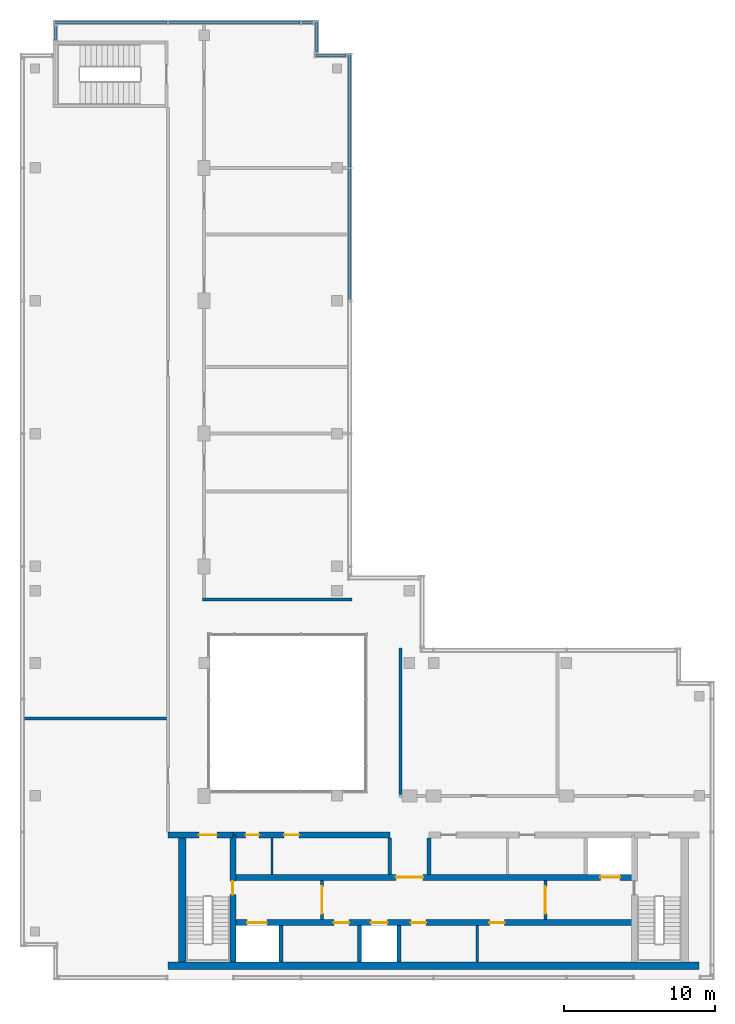
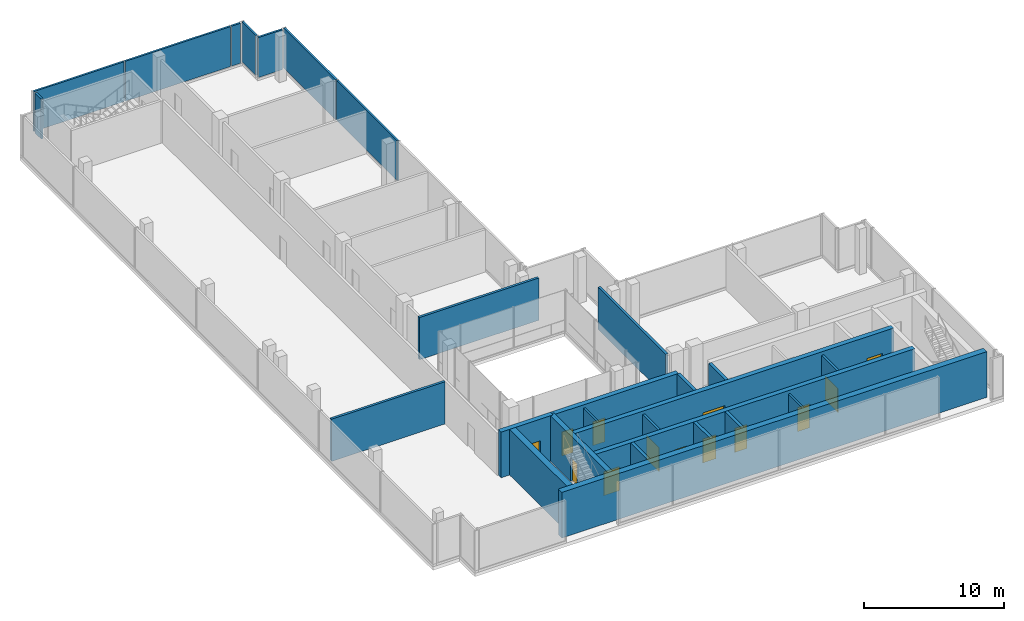
# One storey, part 8 of 11: 19 walls, 13 doors, 8 plates, 13 openings, 5 elements without a shape of their own.
"""IFC4 building model written with IfcOpenShell, lengths in metres."""

from ifc_helpers import new_model, si_unit, direction, frame, frame_2d, origin, origin_2d, place, context, subcontext, project, spatial, rectangle, extrude, source, transform, mapped, material, layer, layer_set, type_object, element, fill, aggregate, save


model = new_model("IFC4")

# Units and contexts
model_context = context("Model", 3, precision=1e-05, world=origin(), true_north=direction((0.0, 1.0)))
body_context = subcontext(model_context, "Body", "Model", "MODEL_VIEW")
ifc_project = project(units=[si_unit("LENGTHUNIT", "METRE"), si_unit("AREAUNIT", "SQUARE_METRE"), si_unit("VOLUMEUNIT", "CUBIC_METRE"), si_unit("PLANEANGLEUNIT", "RADIAN"), si_unit("MASSUNIT", "GRAM", prefix="KILO")], contexts=[model_context])

# Site, building, storey
site_placement = place(None, origin())
site = spatial("IfcSite", under=ifc_project, at=site_placement, CompositionType="ELEMENT")
building_placement = place(site_placement, origin())
building = spatial("IfcBuilding", under=site, at=building_placement, Name="Kemantara Hotel Tower", CompositionType="ELEMENT")
storey_placement = place(building_placement, frame((0.0, 0.0, 326.199951171875)))
storey = spatial("IfcBuildingStorey", under=building, at=storey_placement, Name="L82", CompositionType="ELEMENT", Elevation=326.199951171875)

# Curtain wall, plates
ifc_material_1 = material(Name="Aluminium 6063-T6 bronze anodised", Category="aluminium")
curtain_wall_type = type_object("IfcCurtainWallType", Name="CROWN LOUVRE SCREEN WALL", PredefinedType="USERDEFINED", material=ifc_material_1)
curtain_wall_1_placement = place(storey_placement, origin())
curtain_wall_1 = element("IfcCurtainWall", 1, at=curtain_wall_1_placement, inside=storey, type_object=curtain_wall_type, Name="CW7 L82 CRN-R02-1", ObjectType="CROWN LOUVRE SCREEN WALL", PredefinedType="USERDEFINED")
ifc_material_2 = material(Name="Bronze anodised aluminium louvre blades 3 mm", Category="aluminium")
ifc_layer_1 = layer(ifc_material_2, 0.159912109375)
ifc_layer_set_1 = layer_set([ifc_layer_1], Name="Bronze anodised aluminium louvre blades 3 mm")
plate_type = type_object("IfcPlateType", Name="CROWN LOUVRE SCREEN WALL PANEL", PredefinedType="CURTAIN_PANEL", material=ifc_layer_set_1)
shared_shape_1 = source(origin(), body_context, "Body", "SweptSolid", [
    extrude(rectangle(XDim=0.75, YDim=0.159912109375, at=origin_2d()), origin(), (0.0, 0.0, 1.0), 3.5),
])
plate_1_placement = place(storey_placement, frame((19.02490234375, 63.449951171875, 0.199951171875), z_axis=(0.0, 0.0, 1.0), x_axis=(-1.0, 0.0, 0.0)))
plate_1 = element("IfcPlate", 2, at=plate_1_placement, type_object=plate_type, Name="CW7 louvre panel CRN-R02-1.1", PredefinedType="CURTAIN_PANEL", context=body_context, shape_type="MappedRepresentation", body=[
    mapped(shared_shape_1, transform((0.0, 0.0, 0.0))),
])
shared_shape_2 = source(origin(), body_context, "Body", "SweptSolid", [
    extrude(rectangle(XDim=8.699951171875, YDim=0.159912109375, at=origin_2d()), origin(), (0.0, 0.0, 1.0), 3.5),
])
plate_2_placement = place(storey_placement, frame((14.199951171875, 63.449951171875, 0.199951171875), z_axis=(0.0, 0.0, 1.0), x_axis=(-1.0, 0.0, 0.0)))
plate_2 = element("IfcPlate", 3, at=plate_2_placement, type_object=plate_type, Name="CW7 louvre panel CRN-R02-1.2", PredefinedType="CURTAIN_PANEL", context=body_context, shape_type="MappedRepresentation", body=[
    mapped(shared_shape_2, transform((0.0, 0.0, 0.0))),
])

# Curtain wall, plate
curtain_wall_2_placement = place(storey_placement, origin())
curtain_wall_2 = element("IfcCurtainWall", 4, at=curtain_wall_2_placement, inside=storey, type_object=curtain_wall_type, Name="CW7 L82 CRN-R15-1", ObjectType="CROWN LOUVRE SCREEN WALL", PredefinedType="USERDEFINED")
plate_3_placement = place(storey_placement, frame((21.85009765625, 49.39990234375, 0.199951171875), z_axis=(0.0, 0.0, 1.0), x_axis=(0.0, 1.0, 0.0)))
plate_3 = element("IfcPlate", 5, at=plate_3_placement, type_object=plate_type, Name="CW7 louvre panel CRN-R15-1.4", PredefinedType="CURTAIN_PANEL", context=body_context, shape_type="MappedRepresentation", body=[
    mapped(shared_shape_2, transform((0.0, 0.0, 0.0))),
])

# Plate
shared_shape_3 = source(origin(), body_context, "Body", "SweptSolid", [
    extrude(rectangle(XDim=7.449951171875, YDim=0.159912109375, at=origin_2d()), origin(), (0.0, 0.0, 1.0), 3.5),
])
plate_4_placement = place(storey_placement, frame((6.02490234375, 63.449951171875, 0.199951171875), z_axis=(0.0, 0.0, 1.0), x_axis=(-1.0, 0.0, 0.0)))
plate_4 = element("IfcPlate", 6, at=plate_4_placement, type_object=plate_type, Name="CW7 louvre panel CRN-R02-1.3", PredefinedType="CURTAIN_PANEL", context=body_context, shape_type="MappedRepresentation", body=[
    mapped(shared_shape_3, transform((0.0, 0.0, 0.0))),
])

aggregate(curtain_wall_1, [plate_1, plate_2, plate_4])

plate_5_placement = place(storey_placement, frame((21.85009765625, 57.574951171875, 0.199951171875), z_axis=(0.0, 0.0, 1.0), x_axis=(0.0, 1.0, 0.0)))
plate_5 = element("IfcPlate", 7, at=plate_5_placement, type_object=plate_type, Name="CW7 louvre panel CRN-R15-1.5", PredefinedType="CURTAIN_PANEL", context=body_context, shape_type="MappedRepresentation", body=[
    mapped(shared_shape_3, transform((0.0, 0.0, 0.0))),
])

aggregate(curtain_wall_2, [plate_3, plate_5])

# Curtain wall, plate
curtain_wall_3_placement = place(storey_placement, origin())
curtain_wall_3 = element("IfcCurtainWall", 8, at=curtain_wall_3_placement, inside=storey, type_object=curtain_wall_type, Name="CW7 L82 CRN-R00-1", ObjectType="CROWN LOUVRE SCREEN WALL", PredefinedType="USERDEFINED")
shared_shape_4 = source(origin(), body_context, "Body", "SweptSolid", [
    extrude(rectangle(XDim=2.0, YDim=0.159912109375, at=origin_2d()), origin(), (0.0, 0.0, 1.0), 3.5),
])
plate_6_placement = place(storey_placement, frame((20.60009765625, 61.25, 0.199951171875), z_axis=(0.0, 0.0, 1.0), x_axis=(-1.0, 0.0, 0.0)))
plate_6 = element("IfcPlate", 9, at=plate_6_placement, type_object=plate_type, Name="CW7 louvre panel CRN-R00-1.1", PredefinedType="CURTAIN_PANEL", context=body_context, shape_type="MappedRepresentation", body=[
    mapped(shared_shape_4, transform((0.0, 0.0, 0.0))),
])
aggregate(curtain_wall_3, [plate_6])

curtain_wall_4_placement = place(storey_placement, origin())
curtain_wall_4 = element("IfcCurtainWall", 10, at=curtain_wall_4_placement, inside=storey, type_object=curtain_wall_type, Name="CW7 L82 CRN-R01-1", ObjectType="CROWN LOUVRE SCREEN WALL", PredefinedType="USERDEFINED")
plate_7_placement = place(storey_placement, frame((19.64990234375, 62.5, 0.199951171875), z_axis=(0.0, 0.0, 1.0), x_axis=(0.0, 1.0, 0.0)))
plate_7 = element("IfcPlate", 11, at=plate_7_placement, type_object=plate_type, Name="CW7 louvre panel CRN-R01-1.1", PredefinedType="CURTAIN_PANEL", context=body_context, shape_type="MappedRepresentation", body=[
    mapped(shared_shape_4, transform((0.0, 0.0, 0.0))),
])
aggregate(curtain_wall_4, [plate_7])

curtain_wall_5_placement = place(storey_placement, origin())
curtain_wall_5 = element("IfcCurtainWall", 12, at=curtain_wall_5_placement, inside=storey, type_object=curtain_wall_type, Name="CW7 L82 CRN-R03-1", ObjectType="CROWN LOUVRE SCREEN WALL", PredefinedType="USERDEFINED")
shared_shape_5 = source(origin(), body_context, "Body", "SweptSolid", [
    extrude(rectangle(XDim=0.89990234375, YDim=0.159912109375, at=origin_2d()), origin(), (0.0, 0.0, 1.0), 3.5),
])
plate_8_placement = place(storey_placement, frame((2.35009765625, 62.75, 0.199951171875), z_axis=(0.0, 0.0, 1.0), x_axis=(0.0, -1.0, 0.0)))
plate_8 = element("IfcPlate", 13, at=plate_8_placement, type_object=plate_type, Name="CW7 louvre panel CRN-R03-1.1", PredefinedType="CURTAIN_PANEL", context=body_context, shape_type="MappedRepresentation", body=[
    mapped(shared_shape_5, transform((0.0, 0.0, 0.0))),
])
aggregate(curtain_wall_5, [plate_8])

# Walls
ifc_material_3 = material(Name="Concrete fc 50 MPa", Category="concrete")
ifc_layer_2 = layer(ifc_material_3, 0.25)
ifc_layer_set_2 = layer_set([ifc_layer_2], Name="Concrete fc 50 MPa")
wall_type_1 = type_object("IfcWallType", Name="CORE WALL 250 FC50", PredefinedType="SHEAR", material=ifc_layer_set_2)
for number, where, z_axis, x_axis, name in (
    (14, (17.300048828125, 1.199951171875, 0.0), (0.0, 0.0, 1.0), (0.0, 1.0, 0.0), "CORE WALL CW-DS17.3"),
    (15, (22.5, 1.199951171875, 0.0), (0.0, 0.0, 1.0), (0.0, 1.0, 0.0), "CORE WALL CW-DS22.5"),
    (16, (25.10009765625, 1.199951171875, 0.0), (0.0, 0.0, 1.0), (0.0, 1.0, 0.0), "CORE WALL CW-DS25.1"),
):
    element("IfcWall", number, at=place(storey_placement, frame(where, z_axis=z_axis, x_axis=x_axis)), inside=storey, type_object=wall_type_1, Name=name, PredefinedType="SHEAR", context=body_context, shape_type="SweptSolid", body=[
        extrude(rectangle(XDim=2.400146484375, YDim=0.25, at=frame_2d((1.2001953125, 0.0))), origin(), (0.0, 0.0, 1.0), 4.0),
    ])
for number, where, z_axis, x_axis, name in (
    (17, (24.5, 7.0, 0.0), (0.0, 0.0, 1.0), (0.0, 1.0, 0.0), "CORE WALL CW-DN24.5"),
    (18, (27.10009765625, 7.0, 0.0), (0.0, 0.0, 1.0), (0.0, 1.0, 0.0), "CORE WALL CW-DN27.1"),
):
    element("IfcWall", number, at=place(storey_placement, frame(where, z_axis=z_axis, x_axis=x_axis)), inside=storey, type_object=wall_type_1, Name=name, PredefinedType="SHEAR", context=body_context, shape_type="SweptSolid", body=[
        extrude(rectangle(XDim=2.39990234375, YDim=0.25, at=frame_2d((1.199951171875, 0.0))), origin(), (0.0, 0.0, 1.0), 4.0),
    ])

# Wall, opening, door
ifc_layer_3 = layer(ifc_material_3, 0.39990234375)
ifc_layer_set_3 = layer_set([ifc_layer_3], Name="Concrete fc 50 MPa")
wall_type_2 = type_object("IfcWallType", Name="CORE WALL 400 FC50", PredefinedType="SHEAR", material=ifc_layer_set_3)
wall_1_placement = place(storey_placement, frame((9.800048828125, 9.60009765625, 0.0), z_axis=(0.0, 0.0, 1.0), x_axis=(1.0, 0.0, 0.0)))
wall_1 = element("IfcWall", 19, at=wall_1_placement, inside=storey, type_object=wall_type_2, Name="CORE WALL CW-N1", PredefinedType="SHEAR", context=body_context, shape_type="SweptSolid", body=[
    extrude(rectangle(XDim=4.300048828125, YDim=0.39990234375, at=frame_2d((2.14990234375, 0.0))), origin(), (0.0, 0.0, 1.0), 4.0),
])
opening_1_placement = place(wall_1_placement, frame((2.050048828125, 0.0, 0.0)))
opening_1 = element("IfcOpeningElement", 20, at=opening_1_placement, cuts=wall_1, Name="Opening C46-ST1-C", PredefinedType="OPENING", context=body_context, shape_type="SweptSolid", body=[
    extrude(rectangle(XDim=1.199951171875, YDim=2.10009765625, at=frame_2d((0.60009765625, 1.050048828125))), frame((0.0, 0.2099609375, 0.0), z_axis=(0.0, -1.0, 0.0), x_axis=(1.0, 0.0, 0.0)), (0.0, 0.0, 1.0), 0.419921875),
])
ifc_material_4 = material(Name="Steel fire door", Category="steel")
door_type_1 = type_object("IfcDoorType", Name="Fire door FD90 1200 x 2100", OperationType="NOTDEFINED", PredefinedType="DOOR", material=ifc_material_4)
door_1_placement = place(opening_1_placement, frame((1.199951171875, 0.0, 0.0), z_axis=(0.0, 0.0, 1.0), x_axis=(-1.0, 0.0, 0.0)))
door_1 = element("IfcDoor", 21, at=door_1_placement, inside=storey, type_object=door_type_1, Name="Stair ST1 door to corridor", OperationType="SINGLE_SWING_LEFT", OverallHeight=2.10009765625, OverallWidth=1.199951171875, PredefinedType="DOOR", context=body_context, shape_type="SweptSolid", body=[
    extrude(rectangle(XDim=1.199951171875, YDim=2.10009765625, at=frame_2d((0.60009765625, 1.050048828125))), frame((0.0, 0.02490234375, 0.0), z_axis=(0.0, -1.0, 0.0), x_axis=(1.0, 0.0, 0.0)), (0.0, 0.0, 1.0), 0.050048828125),
])
fill(opening_1, door_1)

# Wall, openings, doors
wall_2_placement = place(storey_placement, frame((14.10009765625, 9.60009765625, 0.0), z_axis=(0.0, 0.0, 1.0), x_axis=(1.0, 0.0, 0.0)))
wall_2 = element("IfcWall", 22, at=wall_2_placement, inside=storey, type_object=wall_type_2, Name="CORE WALL CW-NN1", PredefinedType="SHEAR", context=body_context, shape_type="SweptSolid", body=[
    extrude(rectangle(XDim=10.39990234375, YDim=0.39990234375, at=frame_2d((5.199951171875, 0.0))), origin(), (0.0, 0.0, 1.0), 4.0),
])
opening_2_placement = place(wall_2_placement, frame((0.85009765625, 0.0, 0.0)))
opening_2 = element("IfcOpeningElement", 23, at=opening_2_placement, cuts=wall_2, Name="Opening C46-R-NW1", PredefinedType="OPENING", context=body_context, shape_type="SweptSolid", body=[
    extrude(rectangle(XDim=0.89990234375, YDim=2.10009765625, at=frame_2d((0.449951171875, 1.050048828125))), frame((0.0, 0.2099609375, 0.0), z_axis=(0.0, -1.0, 0.0), x_axis=(1.0, 0.0, 0.0)), (0.0, 0.0, 1.0), 0.419921875),
])
opening_3_placement = place(wall_2_placement, frame((3.39990234375, 0.0, 0.0)))
opening_3 = element("IfcOpeningElement", 24, at=opening_3_placement, cuts=wall_2, Name="Opening C46-R-NW2", PredefinedType="OPENING", context=body_context, shape_type="SweptSolid", body=[
    extrude(rectangle(XDim=1.0, YDim=2.10009765625, at=frame_2d((0.5, 1.050048828125))), frame((0.0, 0.2099609375, 0.0), z_axis=(0.0, -1.0, 0.0), x_axis=(1.0, 0.0, 0.0)), (0.0, 0.0, 1.0), 0.419921875),
])
door_type_2 = type_object("IfcDoorType", Name="Fire door FD60 1000 x 2100", OperationType="NOTDEFINED", PredefinedType="DOOR", material=ifc_material_4)
door_2_placement = place(opening_3_placement, frame((1.0, 0.0, 0.0), z_axis=(0.0, 0.0, 1.0), x_axis=(-1.0, 0.0, 0.0)))
door_2 = element("IfcDoor", 25, at=door_2_placement, inside=storey, type_object=door_type_2, Name="Switch Room door", OperationType="SINGLE_SWING_RIGHT", OverallHeight=2.10009765625, OverallWidth=1.0, PredefinedType="DOOR", context=body_context, shape_type="SweptSolid", body=[
    extrude(rectangle(XDim=1.0, YDim=2.10009765625, at=frame_2d((0.5, 1.050048828125))), frame((0.0, 0.02490234375, 0.0), z_axis=(0.0, -1.0, 0.0), x_axis=(1.0, 0.0, 0.0)), (0.0, 0.0, 1.0), 0.050048828125),
])
fill(opening_3, door_2)
door_type_3 = type_object("IfcDoorType", Name="Fire door FD60 900 x 2100", OperationType="NOTDEFINED", PredefinedType="DOOR", material=ifc_material_4)
door_3_placement = place(opening_2_placement, frame((0.89990234375, 0.0, 0.0), z_axis=(0.0, 0.0, 1.0), x_axis=(-1.0, 0.0, 0.0)))
door_3 = element("IfcDoor", 26, at=door_3_placement, inside=storey, type_object=door_type_3, Name="Smoke Control Plant Room door", OperationType="SINGLE_SWING_RIGHT", OverallHeight=2.10009765625, OverallWidth=0.89990234375, PredefinedType="DOOR", context=body_context, shape_type="SweptSolid", body=[
    extrude(rectangle(XDim=0.89990234375, YDim=2.10009765625, at=frame_2d((0.449951171875, 1.050048828125))), frame((0.0, 0.02490234375, 0.0), z_axis=(0.0, -1.0, 0.0), x_axis=(1.0, 0.0, 0.0)), (0.0, 0.0, 1.0), 0.050048828125),
])
fill(opening_2, door_3)

wall_3_placement = place(storey_placement, frame((14.10009765625, 3.800048828125, 0.0), z_axis=(0.0, 0.0, 1.0), x_axis=(1.0, 0.0, 0.0)))
wall_3 = element("IfcWall", 27, at=wall_3_placement, inside=storey, type_object=wall_type_2, Name="CORE WALL CW-L1", PredefinedType="SHEAR", context=body_context, shape_type="SweptSolid", body=[
    extrude(rectangle(XDim=26.599853515625, YDim=0.39990234375, at=frame_2d((13.2998046875, 0.0))), origin(), (0.0, 0.0, 1.0), 4.0),
])
opening_4_placement = place(wall_3_placement, frame((0.949951171875, 0.0, 0.0)))
opening_4 = element("IfcOpeningElement", 28, at=opening_4_placement, cuts=wall_3, Name="Opening C46-LD-FF1", PredefinedType="OPENING", context=body_context, shape_type="SweptSolid", body=[
    extrude(rectangle(XDim=1.300048828125, YDim=2.10009765625, at=frame_2d((0.64990234375, 1.050048828125))), frame((0.0, 0.2099609375, 0.0), z_axis=(0.0, -1.0, 0.0), x_axis=(1.0, 0.0, 0.0)), (0.0, 0.0, 1.0), 0.419921875),
])
opening_5_placement = place(wall_3_placement, frame((9.14990234375, 0.0, 0.0)))
opening_5 = element("IfcOpeningElement", 29, at=opening_5_placement, cuts=wall_3, Name="Opening C46-LD-SV3", PredefinedType="OPENING", context=body_context, shape_type="SweptSolid", body=[
    extrude(rectangle(XDim=1.10009765625, YDim=2.10009765625, at=frame_2d((0.550048828125, 1.050048828125))), frame((0.0, 0.2099609375, 0.0), z_axis=(0.0, -1.0, 0.0), x_axis=(1.0, 0.0, 0.0)), (0.0, 0.0, 1.0), 0.419921875),
])
opening_6_placement = place(wall_3_placement, frame((11.800048828125, 0.0, 0.0)))
opening_6 = element("IfcOpeningElement", 30, at=opening_6_placement, cuts=wall_3, Name="Opening C46-R-SM1", PredefinedType="OPENING", context=body_context, shape_type="SweptSolid", body=[
    extrude(rectangle(XDim=1.0, YDim=2.10009765625, at=frame_2d((0.5, 1.050048828125))), frame((0.0, 0.2099609375, 0.0), z_axis=(0.0, -1.0, 0.0), x_axis=(1.0, 0.0, 0.0)), (0.0, 0.0, 1.0), 0.419921875),
])
opening_7_placement = place(wall_3_placement, frame((17.0, 0.0, 0.0)))
opening_7 = element("IfcOpeningElement", 31, at=opening_7_placement, cuts=wall_3, Name="Opening C46-R-SM2", PredefinedType="OPENING", context=body_context, shape_type="SweptSolid", body=[
    extrude(rectangle(XDim=1.0, YDim=2.10009765625, at=frame_2d((0.5, 1.050048828125))), frame((0.0, 0.2099609375, 0.0), z_axis=(0.0, -1.0, 0.0), x_axis=(1.0, 0.0, 0.0)), (0.0, 0.0, 1.0), 0.419921875),
])
opening_8_placement = place(wall_3_placement, frame((6.699951171875, 0.0, 0.0)))
opening_8 = element("IfcOpeningElement", 32, at=opening_8_placement, cuts=wall_3, Name="Opening C46-R-SW1", PredefinedType="OPENING", context=body_context, shape_type="SweptSolid", body=[
    extrude(rectangle(XDim=1.0, YDim=2.10009765625, at=frame_2d((0.5, 1.050048828125))), frame((0.0, 0.2099609375, 0.0), z_axis=(0.0, -1.0, 0.0), x_axis=(1.0, 0.0, 0.0)), (0.0, 0.0, 1.0), 0.419921875),
])
door_4_placement = place(opening_6_placement, frame((1.0, 0.0, 0.0), z_axis=(0.0, 0.0, 1.0), x_axis=(-1.0, 0.0, 0.0)))
door_4 = element("IfcDoor", 33, at=door_4_placement, inside=storey, type_object=door_type_2, Name="Tank Room door", OperationType="SINGLE_SWING_RIGHT", OverallHeight=2.10009765625, OverallWidth=1.0, PredefinedType="DOOR", context=body_context, shape_type="SweptSolid", body=[
    extrude(rectangle(XDim=1.0, YDim=2.10009765625, at=frame_2d((0.5, 1.050048828125))), frame((0.0, 0.02490234375, 0.0), z_axis=(0.0, -1.0, 0.0), x_axis=(1.0, 0.0, 0.0)), (0.0, 0.0, 1.0), 0.050048828125),
])
fill(opening_6, door_4)
door_5_placement = place(opening_7_placement, frame((1.0, 0.0, 0.0), z_axis=(0.0, 0.0, 1.0), x_axis=(-1.0, 0.0, 0.0)))
door_5 = element("IfcDoor", 34, at=door_5_placement, inside=storey, type_object=door_type_2, Name="Pump And Tank Room door", OperationType="SINGLE_SWING_LEFT", OverallHeight=2.10009765625, OverallWidth=1.0, PredefinedType="DOOR", context=body_context, shape_type="SweptSolid", body=[
    extrude(rectangle(XDim=1.0, YDim=2.10009765625, at=frame_2d((0.5, 1.050048828125))), frame((0.0, 0.02490234375, 0.0), z_axis=(0.0, -1.0, 0.0), x_axis=(1.0, 0.0, 0.0)), (0.0, 0.0, 1.0), 0.050048828125),
])
fill(opening_7, door_5)
door_6_placement = place(opening_8_placement, frame((1.0, 0.0, 0.0), z_axis=(0.0, 0.0, 1.0), x_axis=(-1.0, 0.0, 0.0)))
door_6 = element("IfcDoor", 35, at=door_6_placement, inside=storey, type_object=door_type_2, Name="Chilled Water Plant Room door", OperationType="SINGLE_SWING_RIGHT", OverallHeight=2.10009765625, OverallWidth=1.0, PredefinedType="DOOR", context=body_context, shape_type="SweptSolid", body=[
    extrude(rectangle(XDim=1.0, YDim=2.10009765625, at=frame_2d((0.5, 1.050048828125))), frame((0.0, 0.02490234375, 0.0), z_axis=(0.0, -1.0, 0.0), x_axis=(1.0, 0.0, 0.0)), (0.0, 0.0, 1.0), 0.050048828125),
])
fill(opening_8, door_6)
ifc_material_5 = material(Name="Stainless steel lift door", Category="steel")
door_type_4 = type_object("IfcDoorType", Name="Lift landing door 1100 x 2100 FD60", OperationType="DOUBLE_DOOR_SLIDING", PredefinedType="DOOR", material=ifc_material_5)
door_7_placement = place(opening_5_placement, origin())
door_7 = element("IfcDoor", 36, at=door_7_placement, inside=storey, type_object=door_type_4, Name="Lift SV3 landing door", OperationType="DOUBLE_DOOR_SLIDING", OverallHeight=2.10009765625, OverallWidth=1.10009765625, PredefinedType="DOOR", context=body_context, shape_type="SweptSolid", body=[
    extrude(rectangle(XDim=1.10009765625, YDim=2.10009765625, at=frame_2d((0.550048828125, 1.050048828125))), frame((0.0, 0.02490234375, 0.0), z_axis=(0.0, -1.0, 0.0), x_axis=(1.0, 0.0, 0.0)), (0.0, 0.0, 1.0), 0.050048828125),
])
fill(opening_5, door_7)
door_type_5 = type_object("IfcDoorType", Name="Lift landing door 1300 x 2100 FD90", OperationType="DOUBLE_DOOR_SLIDING", PredefinedType="DOOR", material=ifc_material_5)
door_8_placement = place(opening_4_placement, origin())
door_8 = element("IfcDoor", 37, at=door_8_placement, inside=storey, type_object=door_type_5, Name="Lift FF1 landing door", OperationType="DOUBLE_DOOR_SLIDING", OverallHeight=2.10009765625, OverallWidth=1.300048828125, PredefinedType="DOOR", context=body_context, shape_type="SweptSolid", body=[
    extrude(rectangle(XDim=1.300048828125, YDim=2.10009765625, at=frame_2d((0.64990234375, 1.050048828125))), frame((0.0, 0.02490234375, 0.0), z_axis=(0.0, -1.0, 0.0), x_axis=(1.0, 0.0, 0.0)), (0.0, 0.0, 1.0), 0.050048828125),
])
fill(opening_4, door_8)

wall_4_placement = place(storey_placement, frame((14.10009765625, 6.800048828125, 0.0), z_axis=(0.0, 0.0, 1.0), x_axis=(1.0, 0.0, 0.0)))
wall_4 = element("IfcWall", 38, at=wall_4_placement, inside=storey, type_object=wall_type_2, Name="CORE WALL CW-L2", PredefinedType="SHEAR", context=body_context, shape_type="SweptSolid", body=[
    extrude(rectangle(XDim=26.599853515625, YDim=0.39990234375, at=frame_2d((13.2998046875, 0.0))), origin(), (0.0, 0.0, 1.0), 4.0),
])
opening_9_placement = place(wall_4_placement, frame((10.800048828125, 0.0, 0.0)))
opening_9 = element("IfcOpeningElement", 39, at=opening_9_placement, cuts=wall_4, Name="Opening C46-VL", PredefinedType="OPENING", context=body_context, shape_type="SweptSolid", body=[
    extrude(rectangle(XDim=1.800048828125, YDim=2.10009765625, at=frame_2d((0.89990234375, 1.050048828125))), frame((0.0, 0.2099609375, 0.0), z_axis=(0.0, -1.0, 0.0), x_axis=(1.0, 0.0, 0.0)), (0.0, 0.0, 1.0), 0.419921875),
])
opening_10_placement = place(wall_4_placement, frame((24.35009765625, 0.0, 0.0)))
opening_10 = element("IfcOpeningElement", 40, at=opening_10_placement, cuts=wall_4, Name="Opening C46-LD-FF2", PredefinedType="OPENING", context=body_context, shape_type="SweptSolid", body=[
    extrude(rectangle(XDim=1.300048828125, YDim=2.10009765625, at=frame_2d((0.64990234375, 1.050048828125))), frame((0.0, 0.2099609375, 0.0), z_axis=(0.0, -1.0, 0.0), x_axis=(1.0, 0.0, 0.0)), (0.0, 0.0, 1.0), 0.419921875),
])
door_type_6 = type_object("IfcDoorType", Name="Fire door pair FD60 1800 x 2100", OperationType="DOUBLE_DOOR_SINGLE_SWING", PredefinedType="DOOR", material=ifc_material_4)
door_9_placement = place(opening_9_placement, frame((1.800048828125, 0.0, 0.0), z_axis=(0.0, 0.0, 1.0), x_axis=(-1.0, 0.0, 0.0)))
door_9 = element("IfcDoor", 41, at=door_9_placement, inside=storey, type_object=door_type_6, Name="Lift lobby entry door", OperationType="DOUBLE_DOOR_SINGLE_SWING", OverallHeight=2.10009765625, OverallWidth=1.800048828125, PredefinedType="DOOR", context=body_context, shape_type="SweptSolid", body=[
    extrude(rectangle(XDim=1.800048828125, YDim=2.10009765625, at=frame_2d((0.89990234375, 1.050048828125))), frame((0.0, 0.02490234375, 0.0), z_axis=(0.0, -1.0, 0.0), x_axis=(1.0, 0.0, 0.0)), (0.0, 0.0, 1.0), 0.050048828125),
])
fill(opening_9, door_9)
door_10_placement = place(opening_10_placement, origin())
door_10 = element("IfcDoor", 42, at=door_10_placement, inside=storey, type_object=door_type_5, Name="Lift FF2 landing door", OperationType="DOUBLE_DOOR_SLIDING", OverallHeight=2.10009765625, OverallWidth=1.300048828125, PredefinedType="DOOR", context=body_context, shape_type="SweptSolid", body=[
    extrude(rectangle(XDim=1.300048828125, YDim=2.10009765625, at=frame_2d((0.64990234375, 1.050048828125))), frame((0.0, 0.02490234375, 0.0), z_axis=(0.0, -1.0, 0.0), x_axis=(1.0, 0.0, 0.0)), (0.0, 0.0, 1.0), 0.050048828125),
])
fill(opening_10, door_10)

# Wall, opening, door
wall_5_placement = place(storey_placement, frame((14.10009765625, 1.199951171875, 0.0), z_axis=(0.0, 0.0, 1.0), x_axis=(0.0, 1.0, 0.0)))
wall_5 = element("IfcWall", 43, at=wall_5_placement, inside=storey, type_object=wall_type_2, Name="CORE WALL CW-ST1E", PredefinedType="SHEAR", context=body_context, shape_type="SweptSolid", body=[
    extrude(rectangle(XDim=8.400146484375, YDim=0.39990234375, at=frame_2d((4.2001953125, 0.0))), origin(), (0.0, 0.0, 1.0), 4.0),
])
opening_11_placement = place(wall_5_placement, frame((4.449951171875, 0.0, 0.0)))
opening_11 = element("IfcOpeningElement", 44, at=opening_11_placement, cuts=wall_5, Name="Opening C46-ST1-F", PredefinedType="OPENING", context=body_context, shape_type="SweptSolid", body=[
    extrude(rectangle(XDim=0.89990234375, YDim=2.10009765625, at=frame_2d((0.449951171875, 1.050048828125))), frame((0.0, 0.2099609375, 0.0), z_axis=(0.0, -1.0, 0.0), x_axis=(1.0, 0.0, 0.0)), (0.0, 0.0, 1.0), 0.419921875),
])
door_type_7 = type_object("IfcDoorType", Name="Fire door FD90 900 x 2100", OperationType="NOTDEFINED", PredefinedType="DOOR", material=ifc_material_4)
door_11_placement = place(opening_11_placement, origin())
door_11 = element("IfcDoor", 45, at=door_11_placement, inside=storey, type_object=door_type_7, Name="Stair ST1 door to firefighting lobby", OperationType="SINGLE_SWING_RIGHT", OverallHeight=2.10009765625, OverallWidth=0.89990234375, PredefinedType="DOOR", context=body_context, shape_type="SweptSolid", body=[
    extrude(rectangle(XDim=0.89990234375, YDim=2.10009765625, at=frame_2d((0.449951171875, 1.050048828125))), frame((0.0, 0.02490234375, 0.0), z_axis=(0.0, -1.0, 0.0), x_axis=(1.0, 0.0, 0.0)), (0.0, 0.0, 1.0), 0.050048828125),
])
fill(opening_11, door_11)

# Walls
ifc_layer_4 = layer(ifc_material_3, 0.5)
ifc_layer_set_4 = layer_set([ifc_layer_4], Name="Concrete fc 50 MPa")
wall_type_3 = type_object("IfcWallType", Name="CORE WALL 500 FC50", PredefinedType="SHEAR", material=ifc_layer_set_4)
wall_6_placement = place(storey_placement, frame((9.800048828125, 0.949951171875, 0.0), z_axis=(0.0, 0.0, 1.0), x_axis=(1.0, 0.0, 0.0)))
element("IfcWall", 46, at=wall_6_placement, inside=storey, type_object=wall_type_3, Name="CORE WALL CW-S", PredefinedType="SHEAR", context=body_context, shape_type="SweptSolid", body=[
    extrude(rectangle(XDim=35.199951171875, YDim=0.5, at=frame_2d((17.60009765625, 0.0))), origin(), (0.0, 0.0, 1.0), 4.0),
])
wall_7_placement = place(storey_placement, frame((10.75, 1.199951171875, 0.0), z_axis=(0.0, 0.0, 1.0), x_axis=(0.0, 1.0, 0.0)))
element("IfcWall", 47, at=wall_7_placement, inside=storey, type_object=wall_type_3, Name="CORE WALL CW-W", PredefinedType="SHEAR", context=body_context, shape_type="SweptSolid", body=[
    extrude(rectangle(XDim=8.60009765625, YDim=0.5, at=frame_2d((4.300048828125, 0.0))), origin(), (0.0, 0.0, 1.0), 4.0),
])
ifc_material_6 = material(Name="Clay brick masonry", Category="masonry")
ifc_layer_5 = layer(ifc_material_6, 0.199951171875)
ifc_layer_set_5 = layer_set([ifc_layer_5], Name="Clay brick masonry")
wall_type_4 = type_object("IfcWallType", Name="FIRE-RATED CLAY BRICK WALL 200 EI 120", PredefinedType="PARTITIONING", material=ifc_layer_set_5)
wall_8_placement = place(storey_placement, frame((0.300048828125, 17.340087890625, 0.0), z_axis=(0.0, 0.0, 1.0), x_axis=(1.0, 0.0, 0.0)))
element("IfcWall", 48, at=wall_8_placement, inside=storey, type_object=wall_type_4, Name="FIRE WALL", PredefinedType="PARTITIONING", context=body_context, shape_type="SweptSolid", body=[
    extrude(rectangle(XDim=9.39990234375, YDim=0.199951171875, at=frame_2d((4.699951171875, 0.0))), origin(), (0.0, 0.0, 1.0), 3.699951171875),
])
ifc_material_7 = material(Name="Fire-rated gypsum board partition")
ifc_layer_6 = layer(ifc_material_7, 0.199951171875)
ifc_layer_set_6 = layer_set([ifc_layer_6], Name="Fire-rated gypsum board partition")
wall_type_5 = type_object("IfcWallType", Name="FIRE-RATED GYPSUM PARTITION 200 EI 60", PredefinedType="PARTITIONING", material=ifc_layer_set_6)
wall_9_placement = place(storey_placement, frame((12.10009765625, 25.199951171875, 0.0), z_axis=(0.0, 0.0, 1.0), x_axis=(1.0, 0.0, 0.0)))
element("IfcWall", 49, at=wall_9_placement, inside=storey, type_object=wall_type_5, Name="FIRE-RATED PARTITION", PredefinedType="PARTITIONING", context=body_context, shape_type="SweptSolid", body=[
    extrude(rectangle(XDim=9.89990234375, YDim=0.199951171875, at=frame_2d((4.949951171875, 0.0))), origin(), (0.0, 0.0, 1.0), 3.699951171875),
])
wall_10_placement = place(storey_placement, frame((25.199951171875, 12.300048828125, 0.0), z_axis=(0.0, 0.0, 1.0), x_axis=(0.0, 1.0, 0.0)))
element("IfcWall", 50, at=wall_10_placement, inside=storey, type_object=wall_type_5, Name="FIRE-RATED PARTITION", PredefinedType="PARTITIONING", context=body_context, shape_type="SweptSolid", body=[
    extrude(rectangle(XDim=9.699951171875, YDim=0.199951171875, at=frame_2d((4.85009765625, 0.0))), origin(), (0.0, 0.0, 1.0), 3.699951171875),
])
ifc_material_8 = material(Name="Gypsum board partition")
ifc_layer_7 = layer(ifc_material_8, 0.14990234375)
ifc_layer_set_7 = layer_set([ifc_layer_7], Name="Gypsum board partition")
wall_type_6 = type_object("IfcWallType", Name="Gypsum board partition 150 mm", PredefinedType="PARTITIONING", material=ifc_layer_set_7)
wall_11_placement = place(storey_placement, frame((16.699951171875, 7.0, 0.0), z_axis=(0.0, 0.0, 1.0), x_axis=(0.0, 1.0, 0.0)))
element("IfcWall", 51, at=wall_11_placement, inside=storey, type_object=wall_type_6, Name="Core room partition", PredefinedType="PARTITIONING", context=body_context, shape_type="SweptSolid", body=[
    extrude(rectangle(XDim=2.39990234375, YDim=0.14990234375, at=frame_2d((1.199951171875, 0.0))), origin(), (0.0, 0.0, 1.0), 3.699951171875),
])
wall_12_placement = place(storey_placement, frame((30.300048828125, 1.199951171875, 0.0), z_axis=(0.0, 0.0, 1.0), x_axis=(0.0, 1.0, 0.0)))
element("IfcWall", 52, at=wall_12_placement, inside=storey, type_object=wall_type_6, Name="Core room partition", PredefinedType="PARTITIONING", context=body_context, shape_type="SweptSolid", body=[
    extrude(rectangle(XDim=2.400146484375, YDim=0.14990234375, at=frame_2d((1.2001953125, 0.0))), origin(), (0.0, 0.0, 1.0), 3.699951171875),
])

# Wall, opening, door
ifc_material_9 = material(Name="Gypsum board shaft wall")
ifc_layer_8 = layer(ifc_material_9, 0.199951171875)
ifc_layer_set_8 = layer_set([ifc_layer_8], Name="Gypsum board shaft wall")
wall_type_7 = type_object("IfcWallType", Name="Gypsum board shaft wall 200 mm", PredefinedType="PARTITIONING", material=ifc_layer_set_8)
wall_13_placement = place(storey_placement, frame((20.0, 4.0, 0.0), z_axis=(0.0, 0.0, 1.0), x_axis=(0.0, 1.0, 0.0)))
wall_13 = element("IfcWall", 53, at=wall_13_placement, inside=storey, type_object=wall_type_7, Name="Firefighting lobby partition west", PredefinedType="PARTITIONING", context=body_context, shape_type="SweptSolid", body=[
    extrude(rectangle(XDim=2.60009765625, YDim=0.199951171875, at=frame_2d((1.300048828125, 0.0))), origin(), (0.0, 0.0, 1.0), 3.699951171875),
])
opening_12_placement = place(wall_13_placement, frame((0.39990234375, 0.0, 0.0)))
opening_12 = element("IfcOpeningElement", 54, at=opening_12_placement, cuts=wall_13, Name="Opening C46-FFW", PredefinedType="OPENING", context=body_context, shape_type="SweptSolid", body=[
    extrude(rectangle(XDim=1.800048828125, YDim=2.10009765625, at=frame_2d((0.89990234375, 1.050048828125))), frame((0.0, 0.10986328125, 0.0), z_axis=(0.0, -1.0, 0.0), x_axis=(1.0, 0.0, 0.0)), (0.0, 0.0, 1.0), 0.219970703125),
])
door_12_placement = place(opening_12_placement, origin())
door_12 = element("IfcDoor", 55, at=door_12_placement, inside=storey, type_object=door_type_6, Name="Firefighting lobby door west", OperationType="DOUBLE_DOOR_SINGLE_SWING", OverallHeight=2.10009765625, OverallWidth=1.800048828125, PredefinedType="DOOR", context=body_context, shape_type="SweptSolid", body=[
    extrude(rectangle(XDim=1.800048828125, YDim=2.10009765625, at=frame_2d((0.89990234375, 1.050048828125))), frame((0.0, 0.02490234375, 0.0), z_axis=(0.0, -1.0, 0.0), x_axis=(1.0, 0.0, 0.0)), (0.0, 0.0, 1.0), 0.050048828125),
])
fill(opening_12, door_12)

wall_14_placement = place(storey_placement, frame((34.800048828125, 4.0, 0.0), z_axis=(0.0, 0.0, 1.0), x_axis=(0.0, 1.0, 0.0)))
wall_14 = element("IfcWall", 56, at=wall_14_placement, inside=storey, type_object=wall_type_7, Name="Firefighting lobby partition east", PredefinedType="PARTITIONING", context=body_context, shape_type="SweptSolid", body=[
    extrude(rectangle(XDim=2.60009765625, YDim=0.199951171875, at=frame_2d((1.300048828125, 0.0))), origin(), (0.0, 0.0, 1.0), 3.699951171875),
])
opening_13_placement = place(wall_14_placement, frame((0.39990234375, 0.0, 0.0)))
opening_13 = element("IfcOpeningElement", 57, at=opening_13_placement, cuts=wall_14, Name="Opening C46-FFE", PredefinedType="OPENING", context=body_context, shape_type="SweptSolid", body=[
    extrude(rectangle(XDim=1.800048828125, YDim=2.10009765625, at=frame_2d((0.89990234375, 1.050048828125))), frame((0.0, 0.10986328125, 0.0), z_axis=(0.0, -1.0, 0.0), x_axis=(1.0, 0.0, 0.0)), (0.0, 0.0, 1.0), 0.219970703125),
])
door_13_placement = place(opening_13_placement, frame((1.800048828125, 0.0, 0.0), z_axis=(0.0, 0.0, 1.0), x_axis=(-1.0, 0.0, 0.0)))
door_13 = element("IfcDoor", 58, at=door_13_placement, inside=storey, type_object=door_type_6, Name="Firefighting lobby door east", OperationType="DOUBLE_DOOR_SINGLE_SWING", OverallHeight=2.10009765625, OverallWidth=1.800048828125, PredefinedType="DOOR", context=body_context, shape_type="SweptSolid", body=[
    extrude(rectangle(XDim=1.800048828125, YDim=2.10009765625, at=frame_2d((0.89990234375, 1.050048828125))), frame((0.0, 0.02490234375, 0.0), z_axis=(0.0, -1.0, 0.0), x_axis=(1.0, 0.0, 0.0)), (0.0, 0.0, 1.0), 0.050048828125),
])
fill(opening_13, door_13)

save(model, "model.ifc")
